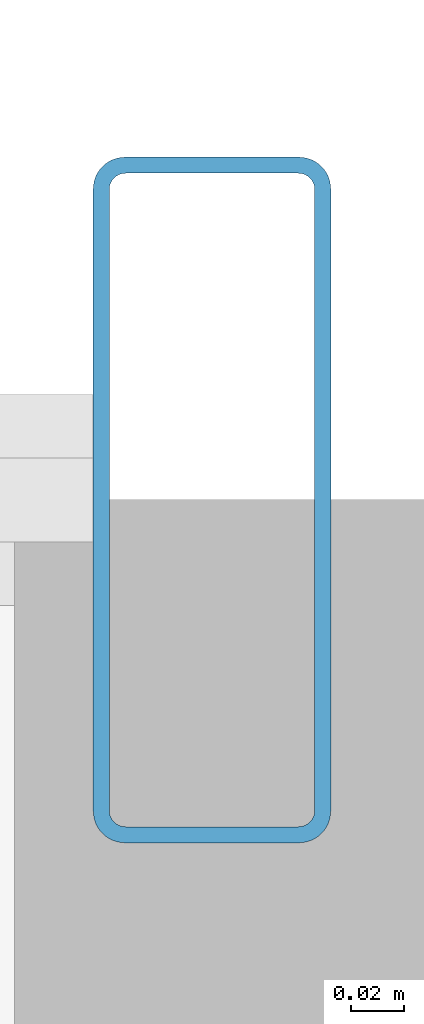
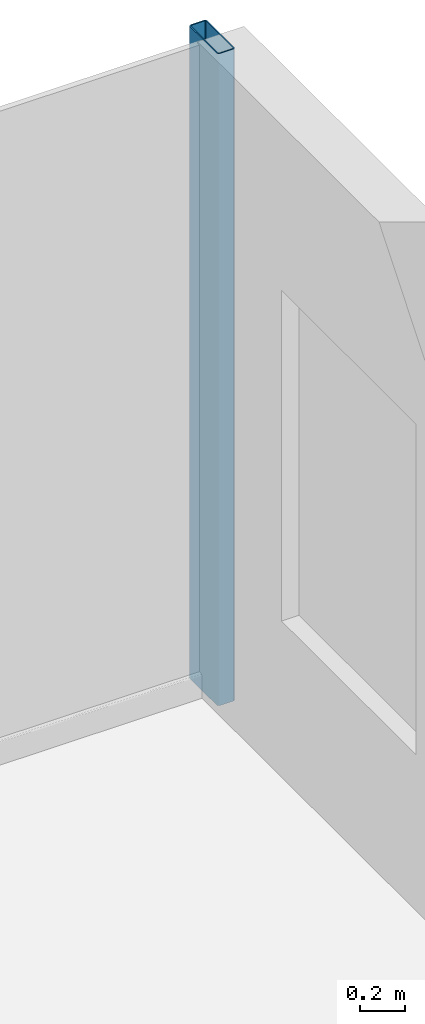
# One storey, part 14 of 26: 1 member, 1 element without a shape of its own.
"""IFC4 building model written with IfcOpenShell, lengths in metres."""

from ifc_helpers import new_model, si_unit, direction, frame, origin, origin_2d, place, context, subcontext, project, spatial, hollow_rectangle, extrude, source, transform, mapped, material, layer, layer_set, material_profile, profile_set, type_object, element, aggregate, save


model = new_model("IFC4")

# Units and contexts
model_context = context("Model", 3, precision=1e-05, world=origin(), true_north=direction((0.0, 1.0)))
body_context = subcontext(model_context, "Body", "Model", "MODEL_VIEW")
ifc_project = project(units=[si_unit("LENGTHUNIT", "METRE"), si_unit("AREAUNIT", "SQUARE_METRE"), si_unit("VOLUMEUNIT", "CUBIC_METRE"), si_unit("PLANEANGLEUNIT", "RADIAN"), si_unit("MASSUNIT", "GRAM", prefix="KILO")], contexts=[model_context])

# Site, building, storey
site_placement = place(None, origin())
site = spatial("IfcSite", under=ifc_project, at=site_placement, CompositionType="ELEMENT")
building_placement = place(site_placement, origin())
building = spatial("IfcBuilding", under=site, at=building_placement, Name="Nefas-Gora Pilgrimage Tower", CompositionType="ELEMENT")
storey_placement = place(building_placement, frame((0.0, 0.0, 121.199951171875)))
storey = spatial("IfcBuildingStorey", under=building, at=storey_placement, Name="L29", CompositionType="ELEMENT", Elevation=121.199951171875)

# Curtain wall, member
ifc_material_1 = material(Name="Dark ceramic-fritted solar-control aluminium-glass curtain wall", Category="aluminium")
ifc_layer = layer(ifc_material_1, 0.219970703125)
ifc_layer_set = layer_set([ifc_layer], Name="Dark ceramic-fritted solar-control aluminium-glass curtain wall")
curtain_wall_type = type_object("IfcCurtainWallType", Name="CW-SYS-2", PredefinedType="NOTDEFINED", material=ifc_layer_set)
curtain_wall_placement = place(storey_placement, origin())
curtain_wall = element("IfcCurtainWall", 1, at=curtain_wall_placement, inside=storey, type_object=curtain_wall_type, Name="L29 Unitised Curtain Wall CW2", PredefinedType="NOTDEFINED")
ifc_material_2 = material(Name="Anodised architectural aluminium", Category="aluminium")
ifc_material_profile = material_profile(ifc_material_2, hollow_rectangle(XDim=0.090087890625, YDim=0.260009765625, WallThickness=0.006103515625, InnerFilletRadius=0.006103515625, OuterFilletRadius=0.011962890625, at=origin_2d()), Name="ALU MULLION 90x260")
ifc_profile_set = profile_set([ifc_material_profile], Name="Anodised architectural aluminium")
member_type = type_object("IfcMemberType", Name="CWM-MUL-2", PredefinedType="MULLION", material=ifc_profile_set)
shared_shape = source(origin(), body_context, "Body", "SweptSolid", [
    extrude(hollow_rectangle(XDim=0.090087890625, YDim=0.260009765625, WallThickness=0.006103515625, InnerFilletRadius=0.006103515625, OuterFilletRadius=0.011962890625, at=origin_2d()), origin(), (0.0, 0.0, 1.0), 3.550048828125),
])
member_placement = place(storey_placement, frame((28.824951171875, 23.02001953125, 0.0), z_axis=(0.0, 0.0, 1.0), x_axis=(-1.0, 0.0, 0.0)))
member = element("IfcMember", 2, at=member_placement, type_object=member_type, Name="CW2 Mullion 1", PredefinedType="MULLION", context=body_context, shape_type="MappedRepresentation", body=[
    mapped(shared_shape, transform((0.0, 0.0, 0.0), x_axis=(1.0, 0.0, 0.0), y_axis=(0.0, 1.0, 0.0), z_axis=(0.0, 0.0, 1.0), scale=1.0)),
])
aggregate(curtain_wall, [member])

save(model, "model.ifc")
